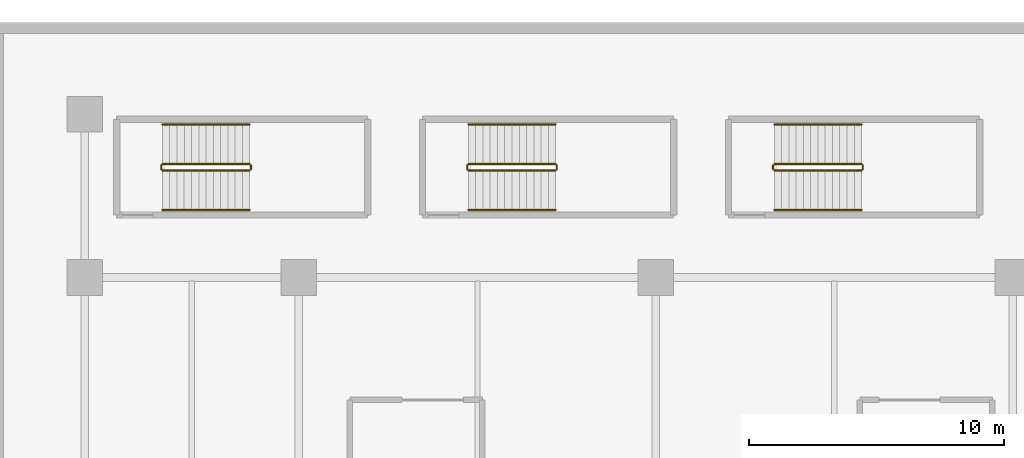
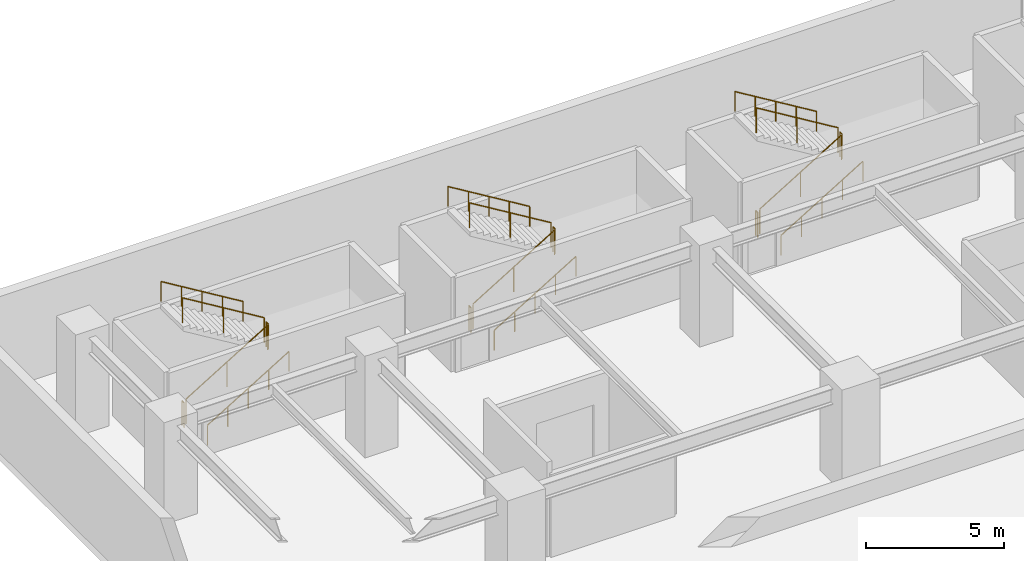
# One storey, part 31 of 32: 18 railings.
"""IFC4 building model written with IfcOpenShell, lengths in metres."""

from ifc_helpers import new_model, si_unit, direction, frame, origin, origin_2d, place, context, subcontext, project, spatial, circle, extrude, material, type_object, element, save


model = new_model("IFC4")

# Units and contexts
model_context = context("Model", 3, precision=1e-05, world=origin(), true_north=direction((0.0, 1.0)))
body_context = subcontext(model_context, "Body", "Model", "MODEL_VIEW")
ifc_project = project(units=[si_unit("LENGTHUNIT", "METRE"), si_unit("AREAUNIT", "SQUARE_METRE"), si_unit("VOLUMEUNIT", "CUBIC_METRE"), si_unit("PLANEANGLEUNIT", "RADIAN"), si_unit("MASSUNIT", "GRAM", prefix="KILO")], contexts=[model_context])

# Site, building, storey
site_placement = place(None, origin())
site = spatial("IfcSite", under=ifc_project, at=site_placement, CompositionType="ELEMENT")
building_placement = place(site_placement, origin())
building = spatial("IfcBuilding", under=site, at=building_placement, Name="Narakoshi Arena Tower", CompositionType="ELEMENT")
storey_placement = place(building_placement, frame((0.0, 0.0, 4.5)))
storey = spatial("IfcBuildingStorey", under=building, at=storey_placement, Name="L01", CompositionType="ELEMENT", Elevation=4.5)

# Railings
ifc_material_1 = material(Name="Clear low-iron laminated structural glass", Category="glass")
railing_type_1 = type_object("IfcRailingType", Name="RL-BAL-1100", PredefinedType="BALUSTRADE", material=ifc_material_1)
railing_1_placement = place(storey_placement, frame((6.64990234375, 90.199951171875, 0.173095703125)))
element("IfcRailing", 1, at=railing_1_placement, inside=storey, type_object=railing_type_1, Name="L01 AST5 stair guard 1", PredefinedType="BALUSTRADE", context=body_context, shape_type="SweptSolid", body=[
    extrude(circle(Radius=0.02392578125, at=origin_2d()), frame((0.0, 0.0, 1.09619140625), z_axis=(0.854745945586, 0.0, 0.519046595696), x_axis=(0.0, 1.0, 0.0)), (0.0, 0.0, 1.0), 4.00146484375),
    extrude(circle(Radius=0.02099609375, at=origin_2d()), origin(), (0.0, 0.0, 1.0), 1.072021484375),
    extrude(circle(Radius=0.02099609375, at=origin_2d()), frame((1.7099609375, 0.0, 1.03857421875)), (0.0, 0.0, 1.0), 1.072021484375),
    extrude(circle(Radius=0.02099609375, at=origin_2d()), frame((3.420166015625, 0.0, 2.076904296875)), (0.0, 0.0, 1.0), 1.072021484375),
])
railing_2_placement = place(storey_placement, frame((10.1201171875, 90.25, 2.25)))
element("IfcRailing", 2, at=railing_2_placement, inside=storey, type_object=railing_type_1, Name="L01 AST5 stair guard 2", PredefinedType="BALUSTRADE", context=body_context, shape_type="SweptSolid", body=[
    extrude(circle(Radius=0.02392578125, at=origin_2d()), frame((0.0, 0.0, 1.09619140625), z_axis=(0.0, 1.0, 0.0), x_axis=(-1.0, 0.0, 0.0)), (0.0, 0.0, 1.0), 0.14990234375),
    extrude(circle(Radius=0.02099609375, at=origin_2d()), origin(), (0.0, 0.0, 1.0), 1.072021484375),
    extrude(circle(Radius=0.02099609375, at=origin_2d()), frame((0.0, 0.14990234375, 0.0)), (0.0, 0.0, 1.0), 1.072021484375),
])
railing_3_placement = place(storey_placement, frame((10.070068359375, 90.449951171875, 2.423095703125)))
element("IfcRailing", 3, at=railing_3_placement, inside=storey, type_object=railing_type_1, Name="L01 AST5 stair guard 3", PredefinedType="BALUSTRADE", context=body_context, shape_type="SweptSolid", body=[
    extrude(circle(Radius=0.02392578125, at=origin_2d()), frame((0.0, 0.0, 1.09619140625), z_axis=(-0.854745945586, 0.0, 0.519046595696), x_axis=(0.0, -1.0, 0.0)), (0.0, 0.0, 1.0), 4.00146484375),
    extrude(circle(Radius=0.02099609375, at=origin_2d()), origin(), (0.0, 0.0, 1.0), 1.072021484375),
    extrude(circle(Radius=0.02099609375, at=origin_2d()), frame((-1.7099609375, 0.0, 1.03857421875)), (0.0, 0.0, 1.0), 1.072021484375),
    extrude(circle(Radius=0.02099609375, at=origin_2d()), frame((-3.420166015625, 0.0, 2.076904296875)), (0.0, 0.0, 1.0), 1.072021484375),
])
railing_4_placement = place(storey_placement, frame((6.60009765625, 90.25, 0.0)))
element("IfcRailing", 4, at=railing_4_placement, inside=storey, type_object=railing_type_1, Name="L01 AST5 stair guard 4", PredefinedType="BALUSTRADE", context=body_context, shape_type="SweptSolid", body=[
    extrude(circle(Radius=0.02392578125, at=origin_2d()), frame((0.0, 0.0, 1.09619140625), z_axis=(0.0, 1.0, 0.0), x_axis=(-1.0, 0.0, 0.0)), (0.0, 0.0, 1.0), 0.14990234375),
    extrude(circle(Radius=0.02099609375, at=origin_2d()), origin(), (0.0, 0.0, 1.0), 1.072021484375),
    extrude(circle(Radius=0.02099609375, at=origin_2d()), frame((0.0, 0.14990234375, 0.0)), (0.0, 0.0, 1.0), 1.072021484375),
])
railing_5_placement = place(storey_placement, frame((18.64990234375, 90.199951171875, 0.173095703125)))
element("IfcRailing", 5, at=railing_5_placement, inside=storey, type_object=railing_type_1, Name="L01 AST6 stair guard 1", PredefinedType="BALUSTRADE", context=body_context, shape_type="SweptSolid", body=[
    extrude(circle(Radius=0.02392578125, at=origin_2d()), frame((0.0, 0.0, 1.09619140625), z_axis=(0.854745945586, 0.0, 0.519046595696), x_axis=(0.0, 1.0, 0.0)), (0.0, 0.0, 1.0), 4.00146484375),
    extrude(circle(Radius=0.02099609375, at=origin_2d()), origin(), (0.0, 0.0, 1.0), 1.072021484375),
    extrude(circle(Radius=0.02099609375, at=origin_2d()), frame((1.7099609375, 0.0, 1.03857421875)), (0.0, 0.0, 1.0), 1.072021484375),
    extrude(circle(Radius=0.02099609375, at=origin_2d()), frame((3.420166015625, 0.0, 2.076904296875)), (0.0, 0.0, 1.0), 1.072021484375),
])
railing_6_placement = place(storey_placement, frame((22.1201171875, 90.25, 2.25)))
element("IfcRailing", 6, at=railing_6_placement, inside=storey, type_object=railing_type_1, Name="L01 AST6 stair guard 2", PredefinedType="BALUSTRADE", context=body_context, shape_type="SweptSolid", body=[
    extrude(circle(Radius=0.02392578125, at=origin_2d()), frame((0.0, 0.0, 1.09619140625), z_axis=(0.0, 1.0, 0.0), x_axis=(-1.0, 0.0, 0.0)), (0.0, 0.0, 1.0), 0.14990234375),
    extrude(circle(Radius=0.02099609375, at=origin_2d()), origin(), (0.0, 0.0, 1.0), 1.072021484375),
    extrude(circle(Radius=0.02099609375, at=origin_2d()), frame((0.0, 0.14990234375, 0.0)), (0.0, 0.0, 1.0), 1.072021484375),
])
railing_7_placement = place(storey_placement, frame((22.070068359375, 90.449951171875, 2.423095703125)))
element("IfcRailing", 7, at=railing_7_placement, inside=storey, type_object=railing_type_1, Name="L01 AST6 stair guard 3", PredefinedType="BALUSTRADE", context=body_context, shape_type="SweptSolid", body=[
    extrude(circle(Radius=0.02392578125, at=origin_2d()), frame((0.0, 0.0, 1.09619140625), z_axis=(-0.854745945586, 0.0, 0.519046595696), x_axis=(0.0, -1.0, 0.0)), (0.0, 0.0, 1.0), 4.00146484375),
    extrude(circle(Radius=0.02099609375, at=origin_2d()), origin(), (0.0, 0.0, 1.0), 1.072021484375),
    extrude(circle(Radius=0.02099609375, at=origin_2d()), frame((-1.7099609375, 0.0, 1.03857421875)), (0.0, 0.0, 1.0), 1.072021484375),
    extrude(circle(Radius=0.02099609375, at=origin_2d()), frame((-3.420166015625, 0.0, 2.076904296875)), (0.0, 0.0, 1.0), 1.072021484375),
])
railing_8_placement = place(storey_placement, frame((18.60009765625, 90.25, 0.0)))
element("IfcRailing", 8, at=railing_8_placement, inside=storey, type_object=railing_type_1, Name="L01 AST6 stair guard 4", PredefinedType="BALUSTRADE", context=body_context, shape_type="SweptSolid", body=[
    extrude(circle(Radius=0.02392578125, at=origin_2d()), frame((0.0, 0.0, 1.09619140625), z_axis=(0.0, 1.0, 0.0), x_axis=(-1.0, 0.0, 0.0)), (0.0, 0.0, 1.0), 0.14990234375),
    extrude(circle(Radius=0.02099609375, at=origin_2d()), origin(), (0.0, 0.0, 1.0), 1.072021484375),
    extrude(circle(Radius=0.02099609375, at=origin_2d()), frame((0.0, 0.14990234375, 0.0)), (0.0, 0.0, 1.0), 1.072021484375),
])
railing_9_placement = place(storey_placement, frame((30.64990234375, 90.199951171875, 0.173095703125)))
element("IfcRailing", 9, at=railing_9_placement, inside=storey, type_object=railing_type_1, Name="L01 AST7 stair guard 1", PredefinedType="BALUSTRADE", context=body_context, shape_type="SweptSolid", body=[
    extrude(circle(Radius=0.02392578125, at=origin_2d()), frame((0.0, 0.0, 1.09619140625), z_axis=(0.854745945586, 0.0, 0.519046595696), x_axis=(0.0, 1.0, 0.0)), (0.0, 0.0, 1.0), 4.00146484375),
    extrude(circle(Radius=0.02099609375, at=origin_2d()), origin(), (0.0, 0.0, 1.0), 1.072021484375),
    extrude(circle(Radius=0.02099609375, at=origin_2d()), frame((1.7099609375, 0.0, 1.03857421875)), (0.0, 0.0, 1.0), 1.072021484375),
    extrude(circle(Radius=0.02099609375, at=origin_2d()), frame((3.420166015625, 0.0, 2.076904296875)), (0.0, 0.0, 1.0), 1.072021484375),
])
railing_10_placement = place(storey_placement, frame((34.1201171875, 90.25, 2.25)))
element("IfcRailing", 10, at=railing_10_placement, inside=storey, type_object=railing_type_1, Name="L01 AST7 stair guard 2", PredefinedType="BALUSTRADE", context=body_context, shape_type="SweptSolid", body=[
    extrude(circle(Radius=0.02392578125, at=origin_2d()), frame((0.0, 0.0, 1.09619140625), z_axis=(0.0, 1.0, 0.0), x_axis=(-1.0, 0.0, 0.0)), (0.0, 0.0, 1.0), 0.14990234375),
    extrude(circle(Radius=0.02099609375, at=origin_2d()), origin(), (0.0, 0.0, 1.0), 1.072021484375),
    extrude(circle(Radius=0.02099609375, at=origin_2d()), frame((0.0, 0.14990234375, 0.0)), (0.0, 0.0, 1.0), 1.072021484375),
])
railing_11_placement = place(storey_placement, frame((34.070068359375, 90.449951171875, 2.423095703125)))
element("IfcRailing", 11, at=railing_11_placement, inside=storey, type_object=railing_type_1, Name="L01 AST7 stair guard 3", PredefinedType="BALUSTRADE", context=body_context, shape_type="SweptSolid", body=[
    extrude(circle(Radius=0.02392578125, at=origin_2d()), frame((0.0, 0.0, 1.09619140625), z_axis=(-0.854745945586, 0.0, 0.519046595696), x_axis=(0.0, -1.0, 0.0)), (0.0, 0.0, 1.0), 4.00146484375),
    extrude(circle(Radius=0.02099609375, at=origin_2d()), origin(), (0.0, 0.0, 1.0), 1.072021484375),
    extrude(circle(Radius=0.02099609375, at=origin_2d()), frame((-1.7099609375, 0.0, 1.03857421875)), (0.0, 0.0, 1.0), 1.072021484375),
    extrude(circle(Radius=0.02099609375, at=origin_2d()), frame((-3.420166015625, 0.0, 2.076904296875)), (0.0, 0.0, 1.0), 1.072021484375),
])
railing_12_placement = place(storey_placement, frame((30.60009765625, 90.25, 0.0)))
element("IfcRailing", 12, at=railing_12_placement, inside=storey, type_object=railing_type_1, Name="L01 AST7 stair guard 4", PredefinedType="BALUSTRADE", context=body_context, shape_type="SweptSolid", body=[
    extrude(circle(Radius=0.02392578125, at=origin_2d()), frame((0.0, 0.0, 1.09619140625), z_axis=(0.0, 1.0, 0.0), x_axis=(-1.0, 0.0, 0.0)), (0.0, 0.0, 1.0), 0.14990234375),
    extrude(circle(Radius=0.02099609375, at=origin_2d()), origin(), (0.0, 0.0, 1.0), 1.072021484375),
    extrude(circle(Radius=0.02099609375, at=origin_2d()), frame((0.0, 0.14990234375, 0.0)), (0.0, 0.0, 1.0), 1.072021484375),
])
ifc_material_2 = material(Name="Brushed bronze stainless steel", Category="steel")
railing_type_2 = type_object("IfcRailingType", Name="RL-HND-900", PredefinedType="HANDRAIL", material=ifc_material_2)
railing_13_placement = place(storey_placement, frame((6.64990234375, 88.64990234375, 0.173095703125)))
element("IfcRailing", 13, at=railing_13_placement, inside=storey, type_object=railing_type_2, Name="L01 AST5 stair handrail 1", PredefinedType="HANDRAIL", context=body_context, shape_type="SweptSolid", body=[
    extrude(circle(Radius=0.02392578125, at=origin_2d()), frame((0.0, 0.0, 0.8759765625), z_axis=(0.854745945586, 0.0, 0.519046595696), x_axis=(0.0, 1.0, 0.0)), (0.0, 0.0, 1.0), 4.00146484375),
    extrude(circle(Radius=0.02099609375, at=origin_2d()), origin(), (0.0, 0.0, 1.0), 0.851806640625),
    extrude(circle(Radius=0.02099609375, at=origin_2d()), frame((0.85498046875, 0.0, 0.519287109375)), (0.0, 0.0, 1.0), 0.851806640625),
    extrude(circle(Radius=0.02099609375, at=origin_2d()), frame((1.7099609375, 0.0, 1.03857421875)), (0.0, 0.0, 1.0), 0.851806640625),
    extrude(circle(Radius=0.02099609375, at=origin_2d()), frame((2.565185546875, 0.0, 1.5576171875)), (0.0, 0.0, 1.0), 0.851806640625),
    extrude(circle(Radius=0.02099609375, at=origin_2d()), frame((3.420166015625, 0.0, 2.076904296875)), (0.0, 0.0, 1.0), 0.851806640625),
])
railing_14_placement = place(storey_placement, frame((10.070068359375, 92.0, 2.423095703125)))
element("IfcRailing", 14, at=railing_14_placement, inside=storey, type_object=railing_type_2, Name="L01 AST5 stair handrail 2", PredefinedType="HANDRAIL", context=body_context, shape_type="SweptSolid", body=[
    extrude(circle(Radius=0.02392578125, at=origin_2d()), frame((0.0, 0.0, 0.8759765625), z_axis=(-0.854745945586, 0.0, 0.519046595696), x_axis=(0.0, -1.0, 0.0)), (0.0, 0.0, 1.0), 4.00146484375),
    extrude(circle(Radius=0.02099609375, at=origin_2d()), origin(), (0.0, 0.0, 1.0), 0.851806640625),
    extrude(circle(Radius=0.02099609375, at=origin_2d()), frame((-0.85498046875, 0.0, 0.519287109375)), (0.0, 0.0, 1.0), 0.851806640625),
    extrude(circle(Radius=0.02099609375, at=origin_2d()), frame((-1.7099609375, 0.0, 1.03857421875)), (0.0, 0.0, 1.0), 0.851806640625),
    extrude(circle(Radius=0.02099609375, at=origin_2d()), frame((-2.565185546875, 0.0, 1.5576171875)), (0.0, 0.0, 1.0), 0.851806640625),
    extrude(circle(Radius=0.02099609375, at=origin_2d()), frame((-3.420166015625, 0.0, 2.076904296875)), (0.0, 0.0, 1.0), 0.851806640625),
])
railing_15_placement = place(storey_placement, frame((18.64990234375, 88.64990234375, 0.173095703125)))
element("IfcRailing", 15, at=railing_15_placement, inside=storey, type_object=railing_type_2, Name="L01 AST6 stair handrail 1", PredefinedType="HANDRAIL", context=body_context, shape_type="SweptSolid", body=[
    extrude(circle(Radius=0.02392578125, at=origin_2d()), frame((0.0, 0.0, 0.8759765625), z_axis=(0.854745945586, 0.0, 0.519046595696), x_axis=(0.0, 1.0, 0.0)), (0.0, 0.0, 1.0), 4.00146484375),
    extrude(circle(Radius=0.02099609375, at=origin_2d()), origin(), (0.0, 0.0, 1.0), 0.851806640625),
    extrude(circle(Radius=0.02099609375, at=origin_2d()), frame((0.85498046875, 0.0, 0.519287109375)), (0.0, 0.0, 1.0), 0.851806640625),
    extrude(circle(Radius=0.02099609375, at=origin_2d()), frame((1.7099609375, 0.0, 1.03857421875)), (0.0, 0.0, 1.0), 0.851806640625),
    extrude(circle(Radius=0.02099609375, at=origin_2d()), frame((2.565185546875, 0.0, 1.5576171875)), (0.0, 0.0, 1.0), 0.851806640625),
    extrude(circle(Radius=0.02099609375, at=origin_2d()), frame((3.420166015625, 0.0, 2.076904296875)), (0.0, 0.0, 1.0), 0.851806640625),
])
railing_16_placement = place(storey_placement, frame((22.070068359375, 92.0, 2.423095703125)))
element("IfcRailing", 16, at=railing_16_placement, inside=storey, type_object=railing_type_2, Name="L01 AST6 stair handrail 2", PredefinedType="HANDRAIL", context=body_context, shape_type="SweptSolid", body=[
    extrude(circle(Radius=0.02392578125, at=origin_2d()), frame((0.0, 0.0, 0.8759765625), z_axis=(-0.854745945586, 0.0, 0.519046595696), x_axis=(0.0, -1.0, 0.0)), (0.0, 0.0, 1.0), 4.00146484375),
    extrude(circle(Radius=0.02099609375, at=origin_2d()), origin(), (0.0, 0.0, 1.0), 0.851806640625),
    extrude(circle(Radius=0.02099609375, at=origin_2d()), frame((-0.85498046875, 0.0, 0.519287109375)), (0.0, 0.0, 1.0), 0.851806640625),
    extrude(circle(Radius=0.02099609375, at=origin_2d()), frame((-1.7099609375, 0.0, 1.03857421875)), (0.0, 0.0, 1.0), 0.851806640625),
    extrude(circle(Radius=0.02099609375, at=origin_2d()), frame((-2.565185546875, 0.0, 1.5576171875)), (0.0, 0.0, 1.0), 0.851806640625),
    extrude(circle(Radius=0.02099609375, at=origin_2d()), frame((-3.420166015625, 0.0, 2.076904296875)), (0.0, 0.0, 1.0), 0.851806640625),
])
railing_17_placement = place(storey_placement, frame((30.64990234375, 88.64990234375, 0.173095703125)))
element("IfcRailing", 17, at=railing_17_placement, inside=storey, type_object=railing_type_2, Name="L01 AST7 stair handrail 1", PredefinedType="HANDRAIL", context=body_context, shape_type="SweptSolid", body=[
    extrude(circle(Radius=0.02392578125, at=origin_2d()), frame((0.0, 0.0, 0.8759765625), z_axis=(0.854745945586, 0.0, 0.519046595696), x_axis=(0.0, 1.0, 0.0)), (0.0, 0.0, 1.0), 4.00146484375),
    extrude(circle(Radius=0.02099609375, at=origin_2d()), origin(), (0.0, 0.0, 1.0), 0.851806640625),
    extrude(circle(Radius=0.02099609375, at=origin_2d()), frame((0.85498046875, 0.0, 0.519287109375)), (0.0, 0.0, 1.0), 0.851806640625),
    extrude(circle(Radius=0.02099609375, at=origin_2d()), frame((1.7099609375, 0.0, 1.03857421875)), (0.0, 0.0, 1.0), 0.851806640625),
    extrude(circle(Radius=0.02099609375, at=origin_2d()), frame((2.565185546875, 0.0, 1.5576171875)), (0.0, 0.0, 1.0), 0.851806640625),
    extrude(circle(Radius=0.02099609375, at=origin_2d()), frame((3.420166015625, 0.0, 2.076904296875)), (0.0, 0.0, 1.0), 0.851806640625),
])
railing_18_placement = place(storey_placement, frame((34.070068359375, 92.0, 2.423095703125)))
element("IfcRailing", 18, at=railing_18_placement, inside=storey, type_object=railing_type_2, Name="L01 AST7 stair handrail 2", PredefinedType="HANDRAIL", context=body_context, shape_type="SweptSolid", body=[
    extrude(circle(Radius=0.02392578125, at=origin_2d()), frame((0.0, 0.0, 0.8759765625), z_axis=(-0.854745945586, 0.0, 0.519046595696), x_axis=(0.0, -1.0, 0.0)), (0.0, 0.0, 1.0), 4.00146484375),
    extrude(circle(Radius=0.02099609375, at=origin_2d()), origin(), (0.0, 0.0, 1.0), 0.851806640625),
    extrude(circle(Radius=0.02099609375, at=origin_2d()), frame((-0.85498046875, 0.0, 0.519287109375)), (0.0, 0.0, 1.0), 0.851806640625),
    extrude(circle(Radius=0.02099609375, at=origin_2d()), frame((-1.7099609375, 0.0, 1.03857421875)), (0.0, 0.0, 1.0), 0.851806640625),
    extrude(circle(Radius=0.02099609375, at=origin_2d()), frame((-2.565185546875, 0.0, 1.5576171875)), (0.0, 0.0, 1.0), 0.851806640625),
    extrude(circle(Radius=0.02099609375, at=origin_2d()), frame((-3.420166015625, 0.0, 2.076904296875)), (0.0, 0.0, 1.0), 0.851806640625),
])

save(model, "model.ifc")
